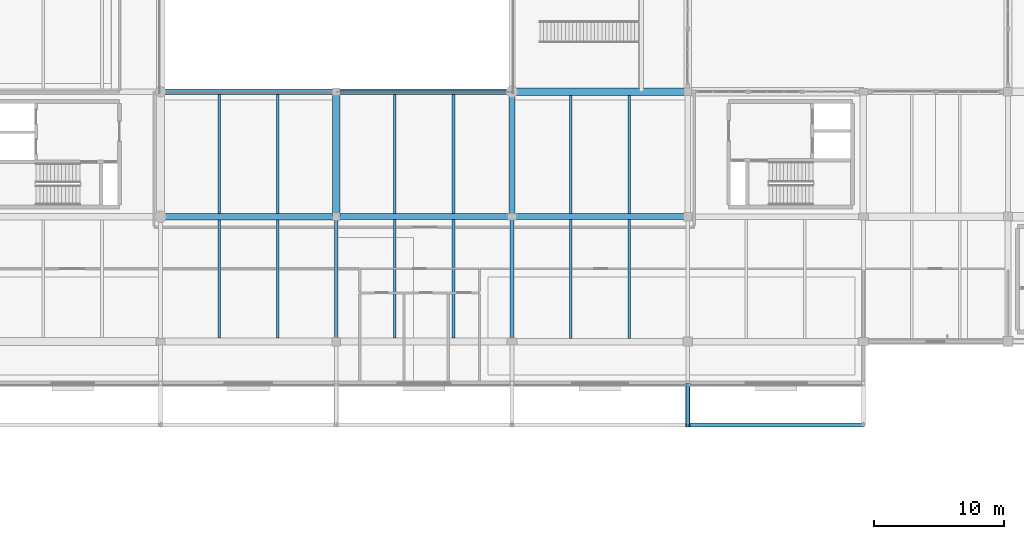
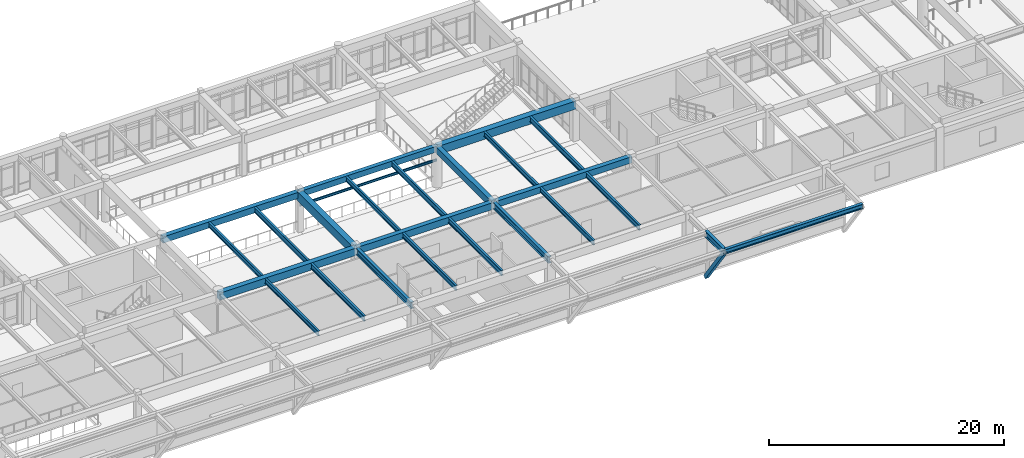
# One storey, part 20 of 109: 25 beams, 1 member.
"""IFC4 building model written with IfcOpenShell, lengths in metres."""

from ifc_helpers import new_model, si_unit, direction, frame, origin, origin_2d, place, context, subcontext, project, spatial, rectangle, hollow_rectangle, i_section, extrude, material, material_profile, profile_set, type_object, element, save


model = new_model("IFC4")

# Units and contexts
model_context = context("Model", 3, precision=1e-05, world=origin(), true_north=direction((0.0, 1.0)))
body_context = subcontext(model_context, "Body", "Model", "MODEL_VIEW")
ifc_project = project(units=[si_unit("LENGTHUNIT", "METRE"), si_unit("AREAUNIT", "SQUARE_METRE"), si_unit("VOLUMEUNIT", "CUBIC_METRE"), si_unit("PLANEANGLEUNIT", "RADIAN"), si_unit("MASSUNIT", "GRAM", prefix="KILO")], contexts=[model_context])

# Site, building, storey
site_placement = place(None, origin())
site = spatial("IfcSite", under=ifc_project, at=site_placement, CompositionType="ELEMENT")
building_placement = place(site_placement, origin())
building = spatial("IfcBuilding", under=site, at=building_placement, Name="Fikremerkos Civic Library", CompositionType="ELEMENT")
storey_placement = place(building_placement, frame((0.0, 0.0, 5.39990234375)))
storey = spatial("IfcBuildingStorey", under=building, at=storey_placement, Name="L01", CompositionType="ELEMENT", Elevation=5.39990234375)

# Beams
ifc_material_1 = material(Name="Steel S355", Category="steel")
ifc_material_profile_1 = material_profile(ifc_material_1, i_section(OverallWidth=0.2099609375, OverallDepth=0.550048828125, WebThickness=0.010986328125, FlangeThickness=0.01708984375, FilletRadius=0.02392578125, at=origin_2d()), Name="IPE 550")
ifc_profile_set_1 = profile_set([ifc_material_profile_1], Name="Steel S355")
beam_type_1 = type_object("IfcBeamType", Name="Floor joist JS-05 IPE 550", PredefinedType="JOIST", material=ifc_profile_set_1)
beam_1_placement = place(storey_placement, frame((68.699951171875, 12.27490234375, 3.905029296875), z_axis=(0.0, 1.0, 0.0), x_axis=(-1.0, 0.0, 0.0)))
element("IfcBeam", 1, at=beam_1_placement, inside=storey, type_object=beam_type_1, Name="Floor joist JS-05 L01 #425", PredefinedType="JOIST", context=body_context, shape_type="SweptSolid", body=[
    extrude(i_section(OverallWidth=0.2099609375, OverallDepth=0.550048828125, WebThickness=0.010986328125, FlangeThickness=0.01708984375, FilletRadius=0.02392578125, at=origin_2d()), origin(), (0.0, 0.0, 1.0), 9.0751953125),
])
beam_2_placement = place(storey_placement, frame((68.699951171875, 21.85009765625, 3.905029296875), z_axis=(0.0, 1.0, 0.0), x_axis=(-1.0, 0.0, 0.0)))
element("IfcBeam", 2, at=beam_2_placement, inside=storey, type_object=beam_type_1, Name="Floor joist JS-05 L01 #427", PredefinedType="JOIST", context=body_context, shape_type="SweptSolid", body=[
    extrude(i_section(OverallWidth=0.2099609375, OverallDepth=0.550048828125, WebThickness=0.010986328125, FlangeThickness=0.01708984375, FilletRadius=0.02392578125, at=origin_2d()), origin(), (0.0, 0.0, 1.0), 9.125),
])
beam_3_placement = place(storey_placement, frame((82.199951171875, 12.27490234375, 3.905029296875), z_axis=(0.0, 1.0, 0.0), x_axis=(-1.0, 0.0, 0.0)))
element("IfcBeam", 3, at=beam_3_placement, inside=storey, type_object=beam_type_1, Name="Floor joist JS-05 L01 #431", PredefinedType="JOIST", context=body_context, shape_type="SweptSolid", body=[
    extrude(i_section(OverallWidth=0.2099609375, OverallDepth=0.550048828125, WebThickness=0.010986328125, FlangeThickness=0.01708984375, FilletRadius=0.02392578125, at=origin_2d()), origin(), (0.0, 0.0, 1.0), 9.10009765625),
])
beam_4_placement = place(storey_placement, frame((82.199951171875, 21.824951171875, 3.905029296875), z_axis=(0.0, 1.0, 0.0), x_axis=(-1.0, 0.0, 0.0)))
element("IfcBeam", 4, at=beam_4_placement, inside=storey, type_object=beam_type_1, Name="Floor joist JS-05 L01 #433", PredefinedType="JOIST", context=body_context, shape_type="SweptSolid", body=[
    extrude(i_section(OverallWidth=0.2099609375, OverallDepth=0.550048828125, WebThickness=0.010986328125, FlangeThickness=0.01708984375, FilletRadius=0.02392578125, at=origin_2d()), origin(), (0.0, 0.0, 1.0), 9.175048828125),
])
beam_5_placement = place(storey_placement, frame((95.699951171875, 12.25, 3.905029296875), z_axis=(0.0, 1.0, 0.0), x_axis=(-1.0, 0.0, 0.0)))
element("IfcBeam", 5, at=beam_5_placement, inside=storey, type_object=beam_type_1, Name="Floor joist JS-05 L01 #437", PredefinedType="JOIST", context=body_context, shape_type="SweptSolid", body=[
    extrude(i_section(OverallWidth=0.2099609375, OverallDepth=0.550048828125, WebThickness=0.010986328125, FlangeThickness=0.01708984375, FilletRadius=0.02392578125, at=origin_2d()), origin(), (0.0, 0.0, 1.0), 9.125),
])
beam_6_placement = place(storey_placement, frame((95.699951171875, 21.824951171875, 3.905029296875), z_axis=(0.0, 1.0, 0.0), x_axis=(-1.0, 0.0, 0.0)))
element("IfcBeam", 6, at=beam_6_placement, inside=storey, type_object=beam_type_1, Name="Floor joist JS-05 L01 #439", PredefinedType="JOIST", context=body_context, shape_type="SweptSolid", body=[
    extrude(i_section(OverallWidth=0.2099609375, OverallDepth=0.550048828125, WebThickness=0.010986328125, FlangeThickness=0.01708984375, FilletRadius=0.02392578125, at=origin_2d()), origin(), (0.0, 0.0, 1.0), 9.074951171875),
])
ifc_material_profile_2 = material_profile(ifc_material_1, i_section(OverallWidth=0.199951171875, OverallDepth=0.5, WebThickness=0.01025390625, FlangeThickness=0.01611328125, FilletRadius=0.02099609375, at=origin_2d()), Name="IPE 500")
ifc_profile_set_2 = profile_set([ifc_material_profile_2], Name="Steel S355")
beam_type_2 = type_object("IfcBeamType", Name="Floor joist JS-06 IPE 500", PredefinedType="JOIST", material=ifc_profile_set_2)
beam_7_placement = place(storey_placement, frame((64.199951171875, 12.27490234375, 3.93017578125), z_axis=(0.0, 1.0, 0.0), x_axis=(-1.0, 0.0, 0.0)))
element("IfcBeam", 7, at=beam_7_placement, inside=storey, type_object=beam_type_2, Name="Floor joist JS-06 L01 #424", PredefinedType="JOIST", context=body_context, shape_type="SweptSolid", body=[
    extrude(i_section(OverallWidth=0.199951171875, OverallDepth=0.5, WebThickness=0.01025390625, FlangeThickness=0.01611328125, FilletRadius=0.02099609375, at=origin_2d()), origin(), (0.0, 0.0, 1.0), 9.0751953125),
])
beam_8_placement = place(storey_placement, frame((64.199951171875, 21.85009765625, 3.93017578125), z_axis=(0.0, 1.0, 0.0), x_axis=(-1.0, 0.0, 0.0)))
element("IfcBeam", 8, at=beam_8_placement, inside=storey, type_object=beam_type_2, Name="Floor joist JS-06 L01 #426", PredefinedType="JOIST", context=body_context, shape_type="SweptSolid", body=[
    extrude(i_section(OverallWidth=0.199951171875, OverallDepth=0.5, WebThickness=0.01025390625, FlangeThickness=0.01611328125, FilletRadius=0.02099609375, at=origin_2d()), origin(), (0.0, 0.0, 1.0), 9.125),
])
beam_9_placement = place(storey_placement, frame((77.699951171875, 12.27490234375, 3.93017578125), z_axis=(0.0, 1.0, 0.0), x_axis=(-1.0, 0.0, 0.0)))
element("IfcBeam", 9, at=beam_9_placement, inside=storey, type_object=beam_type_2, Name="Floor joist JS-06 L01 #430", PredefinedType="JOIST", context=body_context, shape_type="SweptSolid", body=[
    extrude(i_section(OverallWidth=0.199951171875, OverallDepth=0.5, WebThickness=0.01025390625, FlangeThickness=0.01611328125, FilletRadius=0.02099609375, at=origin_2d()), origin(), (0.0, 0.0, 1.0), 9.10009765625),
])
beam_10_placement = place(storey_placement, frame((77.699951171875, 21.824951171875, 3.93017578125), z_axis=(0.0, 1.0, 0.0), x_axis=(-1.0, 0.0, 0.0)))
element("IfcBeam", 10, at=beam_10_placement, inside=storey, type_object=beam_type_2, Name="Floor joist JS-06 L01 #432", PredefinedType="JOIST", context=body_context, shape_type="SweptSolid", body=[
    extrude(i_section(OverallWidth=0.199951171875, OverallDepth=0.5, WebThickness=0.01025390625, FlangeThickness=0.01611328125, FilletRadius=0.02099609375, at=origin_2d()), origin(), (0.0, 0.0, 1.0), 9.175048828125),
])
beam_11_placement = place(storey_placement, frame((91.199951171875, 12.25, 3.93017578125), z_axis=(0.0, 1.0, 0.0), x_axis=(-1.0, 0.0, 0.0)))
element("IfcBeam", 11, at=beam_11_placement, inside=storey, type_object=beam_type_2, Name="Floor joist JS-06 L01 #436", PredefinedType="JOIST", context=body_context, shape_type="SweptSolid", body=[
    extrude(i_section(OverallWidth=0.199951171875, OverallDepth=0.5, WebThickness=0.01025390625, FlangeThickness=0.01611328125, FilletRadius=0.02099609375, at=origin_2d()), origin(), (0.0, 0.0, 1.0), 9.125),
])
beam_12_placement = place(storey_placement, frame((91.199951171875, 21.824951171875, 3.93017578125), z_axis=(0.0, 1.0, 0.0), x_axis=(-1.0, 0.0, 0.0)))
element("IfcBeam", 12, at=beam_12_placement, inside=storey, type_object=beam_type_2, Name="Floor joist JS-06 L01 #438", PredefinedType="JOIST", context=body_context, shape_type="SweptSolid", body=[
    extrude(i_section(OverallWidth=0.199951171875, OverallDepth=0.5, WebThickness=0.01025390625, FlangeThickness=0.01611328125, FilletRadius=0.02099609375, at=origin_2d()), origin(), (0.0, 0.0, 1.0), 9.074951171875),
])
ifc_material_profile_3 = material_profile(ifc_material_1, i_section(OverallWidth=0.1201171875, OverallDepth=0.239990234375, WebThickness=0.006103515625, FlangeThickness=0.009765625, FilletRadius=0.014892578125, at=origin_2d()), Name="IPE 240")
ifc_profile_set_3 = profile_set([ifc_material_profile_3], Name="Steel S355")
beam_type_3 = type_object("IfcBeamType", Name="Opening lintel LNT-04 IPE 240", PredefinedType="LINTEL", material=ifc_profile_set_3)
beam_13_placement = place(storey_placement, frame((73.199951171875, 31.199951171875, 2.6201171875), z_axis=(1.0, 0.0, 0.0), x_axis=(0.0, 1.0, 0.0)))
element("IfcBeam", 13, at=beam_13_placement, inside=storey, type_object=beam_type_3, Name="Interior portal lintel LNT-04 L01 #8", PredefinedType="LINTEL", context=body_context, shape_type="SweptSolid", body=[
    extrude(i_section(OverallWidth=0.1201171875, OverallDepth=0.239990234375, WebThickness=0.006103515625, FlangeThickness=0.009765625, FilletRadius=0.014892578125, at=origin_2d()), origin(), (0.0, 0.0, 1.0), 13.5),
])
ifc_material_2 = material(Name="Concrete C40/50", Category="concrete")
ifc_material_profile_4 = material_profile(ifc_material_2, rectangle(XDim=0.550048828125, YDim=0.89990234375, at=origin_2d()), Name="RC 550x900")
ifc_profile_set_4 = profile_set([ifc_material_profile_4], Name="Concrete C40/50")
beam_type_4 = type_object("IfcBeamType", Name="Primary girder BM-02 RC 550x900", PredefinedType="BEAM", material=ifc_profile_set_4)
beam_14_placement = place(storey_placement, frame((73.199951171875, 21.60009765625, 3.72998046875), z_axis=(0.0, 1.0, 0.0), x_axis=(-1.0, 0.0, 0.0)))
element("IfcBeam", 14, at=beam_14_placement, inside=storey, type_object=beam_type_4, Name="Primary girder BM-02 L01 grid 7", PredefinedType="BEAM", context=body_context, shape_type="SweptSolid", body=[
    extrude(rectangle(XDim=0.550048828125, YDim=0.89990234375, at=origin_2d()), origin(), (0.0, 0.0, 1.0), 9.599853515625),
])
ifc_material_profile_5 = material_profile(ifc_material_2, rectangle(XDim=0.5, YDim=0.75, at=origin_2d()), Name="RC 500x750")
ifc_profile_set_5 = profile_set([ifc_material_profile_5], Name="Concrete C40/50")
beam_type_5 = type_object("IfcBeamType", Name="Primary girder BM-05 RC 500x750", PredefinedType="BEAM", material=ifc_profile_set_5)
beam_15_placement = place(storey_placement, frame((59.699951171875, 21.60009765625, 3.80517578125), z_axis=(1.0, 0.0, 0.0), x_axis=(0.0, 1.0, 0.0)))
element("IfcBeam", 15, at=beam_15_placement, inside=storey, type_object=beam_type_5, Name="Primary girder BM-05 L01 grid F", PredefinedType="BEAM", context=body_context, shape_type="SweptSolid", body=[
    extrude(rectangle(XDim=0.5, YDim=0.75, at=origin_2d()), origin(), (0.0, 0.0, 1.0), 13.5),
])
ifc_material_profile_6 = material_profile(ifc_material_2, rectangle(XDim=0.449951171875, YDim=0.699951171875, at=origin_2d()), Name="RC 450x700")
ifc_profile_set_6 = profile_set([ifc_material_profile_6], Name="Concrete C40/50")
beam_type_6 = type_object("IfcBeamType", Name="Primary girder BM-06 RC 450x700", PredefinedType="BEAM", material=ifc_profile_set_6)
beam_16_placement = place(storey_placement, frame((73.199951171875, 21.60009765625, 3.830078125), z_axis=(1.0, 0.0, 0.0), x_axis=(0.0, 1.0, 0.0)))
element("IfcBeam", 16, at=beam_16_placement, inside=storey, type_object=beam_type_6, Name="Primary girder BM-06 L01 grid F", PredefinedType="BEAM", context=body_context, shape_type="SweptSolid", body=[
    extrude(rectangle(XDim=0.449951171875, YDim=0.699951171875, at=origin_2d()), origin(), (0.0, 0.0, 1.0), 13.5),
])
beam_17_placement = place(storey_placement, frame((86.699951171875, 21.60009765625, 3.830078125), z_axis=(0.0, 1.0, 0.0), x_axis=(-1.0, 0.0, 0.0)))
element("IfcBeam", 17, at=beam_17_placement, inside=storey, type_object=beam_type_6, Name="Primary girder BM-06 L01 grid 8", PredefinedType="BEAM", context=body_context, shape_type="SweptSolid", body=[
    extrude(rectangle(XDim=0.449951171875, YDim=0.699951171875, at=origin_2d()), origin(), (0.0, 0.0, 1.0), 9.599853515625),
])
ifc_material_profile_7 = material_profile(ifc_material_2, rectangle(XDim=0.449951171875, YDim=0.64990234375, at=origin_2d()), Name="RC 450x650")
ifc_profile_set_7 = profile_set([ifc_material_profile_7], Name="Concrete C40/50")
beam_type_7 = type_object("IfcBeamType", Name="Primary girder BM-07 RC 450x650", PredefinedType="BEAM", material=ifc_profile_set_7)
for number, where, z_axis, x_axis, name in (
    (18, (86.699951171875, 21.60009765625, 3.85498046875), (1.0, 0.0, 0.0), (0.0, 1.0, 0.0), "Primary girder BM-07 L01 grid F"),
    (19, (59.699951171875, 31.199951171875, 3.85498046875), (1.0, 0.0, 0.0), (0.0, 1.0, 0.0), "Primary girder BM-07 L01 grid G"),
):
    element("IfcBeam", number, at=place(storey_placement, frame(where, z_axis=z_axis, x_axis=x_axis)), inside=storey, type_object=beam_type_7, Name=name, PredefinedType="BEAM", context=body_context, shape_type="SweptSolid", body=[
        extrude(rectangle(XDim=0.449951171875, YDim=0.64990234375, at=origin_2d()), origin(), (0.0, 0.0, 1.0), 13.5),
    ])
ifc_material_profile_8 = material_profile(ifc_material_2, rectangle(XDim=0.39990234375, YDim=0.60009765625, at=origin_2d()), Name="RC 400x600")
ifc_profile_set_8 = profile_set([ifc_material_profile_8], Name="Concrete C40/50")
beam_type_8 = type_object("IfcBeamType", Name="Primary girder BM-08 RC 400x600", PredefinedType="BEAM", material=ifc_profile_set_8)
beam_18_placement = place(storey_placement, frame((73.199951171875, 31.199951171875, 3.880126953125), z_axis=(1.0, 0.0, 0.0), x_axis=(0.0, 1.0, 0.0)))
element("IfcBeam", 20, at=beam_18_placement, inside=storey, type_object=beam_type_8, Name="Primary girder BM-08 L01 grid G", PredefinedType="BEAM", context=body_context, shape_type="SweptSolid", body=[
    extrude(rectangle(XDim=0.39990234375, YDim=0.60009765625, at=origin_2d()), origin(), (0.0, 0.0, 1.0), 13.5),
])
ifc_material_profile_9 = material_profile(ifc_material_1, i_section(OverallWidth=0.300048828125, OverallDepth=0.64990234375, WebThickness=0.01611328125, FlangeThickness=0.031005859375, FilletRadius=0.027099609375, at=origin_2d()), Name="HEB 650")
ifc_profile_set_9 = profile_set([ifc_material_profile_9], Name="Steel S355")
beam_type_9 = type_object("IfcBeamType", Name="Primary girder BM-12 HEB 650", PredefinedType="BEAM", material=ifc_profile_set_9)
for number, where, z_axis, x_axis, name in (
    (21, (73.199951171875, 12.0, 3.85498046875), (0.0, 1.0, 0.0), (-1.0, 0.0, 0.0), "Primary girder BM-12 L01 grid 7"),
    (22, (86.699951171875, 12.0, 3.85498046875), (0.0, 1.0, 0.0), (-1.0, 0.0, 0.0), "Primary girder BM-12 L01 grid 8"),
):
    element("IfcBeam", number, at=place(storey_placement, frame(where, z_axis=z_axis, x_axis=x_axis)), inside=storey, type_object=beam_type_9, Name=name, PredefinedType="BEAM", context=body_context, shape_type="SweptSolid", body=[
        extrude(i_section(OverallWidth=0.300048828125, OverallDepth=0.64990234375, WebThickness=0.01611328125, FlangeThickness=0.031005859375, FilletRadius=0.027099609375, at=origin_2d()), origin(), (0.0, 0.0, 1.0), 9.60009765625),
    ])
beam_19_placement = place(storey_placement, frame((100.199951171875, 8.800048828125, 3.85498046875), z_axis=(0.0, -1.0, 0.0), x_axis=(1.0, 0.0, 0.0)))
element("IfcBeam", 23, at=beam_19_placement, inside=storey, type_object=beam_type_9, Name="Cantilever girder BM-12 L01 X=100.2 #2", PredefinedType="BEAM", context=body_context, shape_type="SweptSolid", body=[
    extrude(i_section(OverallWidth=0.300048828125, OverallDepth=0.64990234375, WebThickness=0.01611328125, FlangeThickness=0.031005859375, FilletRadius=0.027099609375, at=origin_2d()), origin(), (0.0, 0.0, 1.0), 3.199951171875),
])
ifc_material_profile_10 = material_profile(ifc_material_2, rectangle(XDim=0.60009765625, YDim=0.85009765625, at=origin_2d()), Name="RC 600x850")
ifc_profile_set_10 = profile_set([ifc_material_profile_10], Name="Concrete C40/50")
beam_type_10 = type_object("IfcBeamType", Name="Primary girder BM-24 RC 600x850", PredefinedType="BEAM", material=ifc_profile_set_10)
beam_20_placement = place(storey_placement, frame((86.699951171875, 31.199951171875, 3.755126953125), z_axis=(1.0, 0.0, 0.0), x_axis=(0.0, 1.0, 0.0)))
element("IfcBeam", 24, at=beam_20_placement, inside=storey, type_object=beam_type_10, Name="Primary girder BM-24 L01 grid G", PredefinedType="BEAM", context=body_context, shape_type="SweptSolid", body=[
    extrude(rectangle(XDim=0.60009765625, YDim=0.85009765625, at=origin_2d()), origin(), (0.0, 0.0, 1.0), 13.5),
])

# Member
ifc_material_profile_11 = material_profile(ifc_material_1, hollow_rectangle(XDim=0.35009765625, YDim=0.35009765625, WallThickness=0.01611328125, at=origin_2d()), Name="SHS 350x350x16")
ifc_profile_set_11 = profile_set([ifc_material_profile_11], Name="Steel S355")
member_type = type_object("IfcMemberType", Name="Raking strut STR-01 SHS 350x350x16", PredefinedType="STRUT", material=ifc_profile_set_11)
member_placement = place(storey_placement, frame((100.199951171875, 8.800048828125, -0.64501953125), z_axis=(0.0, -0.579517913329, 0.814959500914), x_axis=(1.0, 0.0, 0.0)))
element("IfcMember", 25, at=member_placement, inside=storey, type_object=member_type, Name="Raking cantilever strut STR-01 L01 X=100.2", PredefinedType="STRUT", context=body_context, shape_type="SweptSolid", body=[
    extrude(hollow_rectangle(XDim=0.35009765625, YDim=0.35009765625, WallThickness=0.01611328125, at=origin_2d()), origin(), (0.0, 0.0, 1.0), 5.521728515625),
])

# Beam
ifc_material_profile_12 = material_profile(ifc_material_1, i_section(OverallWidth=0.300048828125, OverallDepth=0.489990234375, WebThickness=0.011962890625, FlangeThickness=0.02294921875, FilletRadius=0.027099609375, at=origin_2d()), Name="HEA 500")
ifc_profile_set_12 = profile_set([ifc_material_profile_12], Name="Steel S355")
beam_type_11 = type_object("IfcBeamType", Name="Spandrel edge beam SPB-04 HEA 500", PredefinedType="SPANDREL", material=ifc_profile_set_12)
beam_21_placement = place(storey_placement, frame((100.199951171875, 5.60009765625, 3.93505859375), z_axis=(1.0, 0.0, 0.0), x_axis=(0.0, 1.0, 0.0)))
element("IfcBeam", 26, at=beam_21_placement, inside=storey, type_object=beam_type_11, Name="Spandrel edge beam SPB-04 L01 Y=5.6 bay 7", PredefinedType="SPANDREL", context=body_context, shape_type="SweptSolid", body=[
    extrude(i_section(OverallWidth=0.300048828125, OverallDepth=0.489990234375, WebThickness=0.011962890625, FlangeThickness=0.02294921875, FilletRadius=0.027099609375, at=origin_2d()), origin(), (0.0, 0.0, 1.0), 13.5),
])

save(model, "model.ifc")
